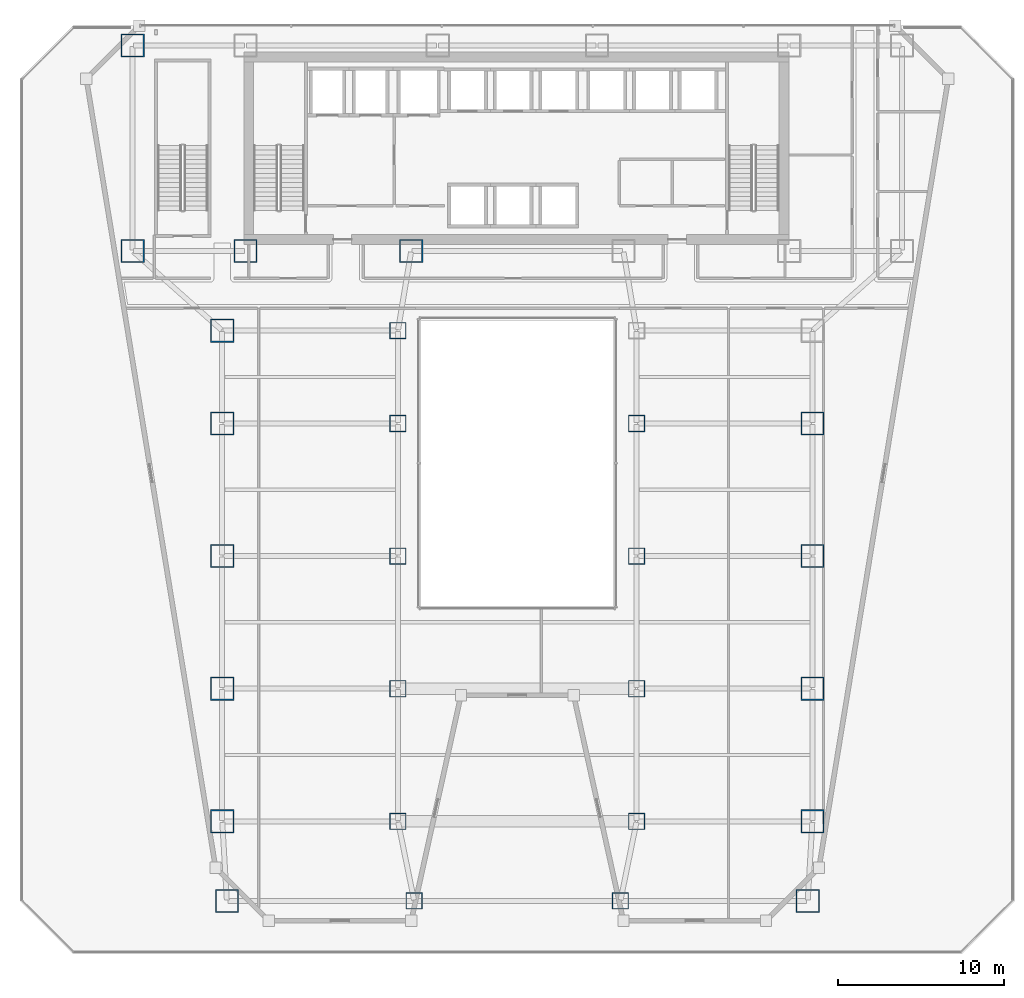
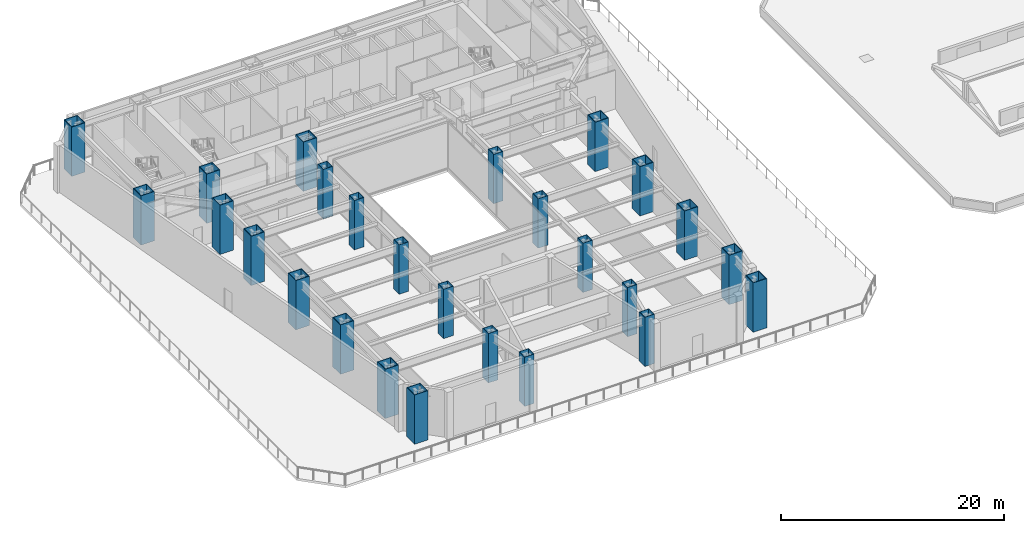
# One storey, part 1 of 29: 26 columns.
"""IFC4 building model written with IfcOpenShell, lengths in metres."""

from ifc_helpers import new_model, si_unit, direction, frame, origin, origin_2d, place, context, subcontext, project, spatial, hollow_rectangle, extrude, material, material_profile, profile_set, type_object, element, save


model = new_model("IFC4")

# Units and contexts
model_context = context("Model", 3, precision=1e-05, world=origin(), true_north=direction((0.0, 1.0)))
body_context = subcontext(model_context, "Body", "Model", "MODEL_VIEW")
ifc_project = project(units=[si_unit("LENGTHUNIT", "METRE"), si_unit("AREAUNIT", "SQUARE_METRE"), si_unit("VOLUMEUNIT", "CUBIC_METRE"), si_unit("PLANEANGLEUNIT", "RADIAN"), si_unit("MASSUNIT", "GRAM", prefix="KILO")], contexts=[model_context])

# Site, building, storey
site_placement = place(None, origin())
site = spatial("IfcSite", under=ifc_project, at=site_placement, CompositionType="ELEMENT")
building_placement = place(site_placement, origin())
building = spatial("IfcBuilding", under=site, at=building_placement, Name="Saevonmaru Cultural Tower", CompositionType="ELEMENT")
storey_placement = place(building_placement, frame((0.0, 0.0, 27.60009765625)))
storey = spatial("IfcBuildingStorey", under=building, at=storey_placement, Name="L05", CompositionType="ELEMENT", Elevation=27.60009765625)

# Columns
ifc_material_1 = material(Name="Steel SM420", Category="steel")
ifc_material_profile_1 = material_profile(ifc_material_1, hollow_rectangle(XDim=1.0, YDim=1.0, WallThickness=0.044921875, at=origin_2d()), Name="BOX-1000x1000x45")
ifc_profile_set_1 = profile_set([ifc_material_profile_1], Name="Steel SM420")
column_type_1 = type_object("IfcColumnType", Name="COL-BOX-1000", PredefinedType="COLUMN", material=ifc_profile_set_1)
for number, where, z_axis, x_axis, name in (
    (1, (23.780029296875, 3.199951171875, 0.0), (0.0, 0.0, 1.0), (1.0, 0.0, 0.0), "L05 Column PC-W2-A"),
    (2, (36.219970703125, 3.199951171875, 0.0), (0.0, 0.0, 1.0), (1.0, 0.0, 0.0), "L05 Column PC-E2-A"),
    (3, (22.800048828125, 8.0, 0.0), (0.0, 0.0, 1.0), (1.0, 0.0, 0.0), "L05 Column PC-W2-B"),
    (4, (37.199951171875, 8.0, 0.0), (0.0, 0.0, 1.0), (1.0, 0.0, 0.0), "L05 Column PC-E2-B"),
    (5, (22.800048828125, 16.0, 0.0), (0.0, 0.0, 1.0), (1.0, 0.0, 0.0), "L05 Column PC-W2-C"),
    (6, (37.199951171875, 16.0, 0.0), (0.0, 0.0, 1.0), (1.0, 0.0, 0.0), "L05 Column PC-E2-C"),
    (7, (22.800048828125, 24.0, 0.0), (0.0, 0.0, 1.0), (1.0, 0.0, 0.0), "L05 Column PC-W2-D"),
    (8, (37.199951171875, 24.0, 0.0), (0.0, 0.0, 1.0), (1.0, 0.0, 0.0), "L05 Column PC-E2-D"),
    (9, (22.800048828125, 32.0, 0.0), (0.0, 0.0, 1.0), (1.0, 0.0, 0.0), "L05 Column PC-W2-E"),
    (10, (37.199951171875, 32.0, 0.0), (0.0, 0.0, 1.0), (1.0, 0.0, 0.0), "L05 Column PC-E2-E"),
    (11, (22.800048828125, 37.60009765625, 0.0), (0.0, 0.0, 1.0), (1.0, 0.0, 0.0), "L05 Column PC-W2-F"),
):
    element("IfcColumn", number, at=place(storey_placement, frame(where, z_axis=z_axis, x_axis=x_axis)), inside=storey, type_object=column_type_1, Name=name, PredefinedType="COLUMN", context=body_context, shape_type="SweptSolid", body=[
        extrude(hollow_rectangle(XDim=1.0, YDim=1.0, WallThickness=0.044921875, at=origin_2d()), origin(), (0.0, 0.0, 1.0), 5.39990234375),
    ])
ifc_material_2 = material(Name="Steel HSA600 (600 MPa)", Category="steel")
ifc_material_profile_2 = material_profile(ifc_material_2, hollow_rectangle(XDim=1.39990234375, YDim=1.39990234375, WallThickness=0.06494140625, at=origin_2d()), Name="BOX-1400x1400x65")
ifc_profile_set_2 = profile_set([ifc_material_profile_2], Name="Steel HSA600 (600 MPa)")
column_type_2 = type_object("IfcColumnType", Name="COL-BOX-1400", PredefinedType="COLUMN", material=ifc_profile_set_2)
for number, where, z_axis, x_axis, name in (
    (12, (6.800048828125, 54.800048828125, 0.0), (0.0, 0.0, 1.0), (1.0, 0.0, 0.0), "L05 Column TC-N1N"),
    (13, (6.800048828125, 42.39990234375, 0.0), (0.0, 0.0, 1.0), (1.0, 0.0, 0.0), "L05 Column TC-S1C"),
    (14, (13.60009765625, 42.39990234375, 0.0), (0.0, 0.0, 1.0), (1.0, 0.0, 0.0), "L05 Column TC-S2C"),
    (15, (23.60009765625, 42.39990234375, 0.0), (0.0, 0.0, 1.0), (1.0, 0.0, 0.0), "L05 Column TC-S3C"),
    (16, (12.47998046875, 3.199951171875, 0.0), (0.0, 0.0, 1.0), (1.0, 0.0, 0.0), "L05 Column PC-W1-A"),
    (17, (47.52001953125, 3.199951171875, 0.0), (0.0, 0.0, 1.0), (1.0, 0.0, 0.0), "L05 Column PC-E1-A"),
    (18, (12.199951171875, 8.0, 0.0), (0.0, 0.0, 1.0), (1.0, 0.0, 0.0), "L05 Column PC-W1-B"),
    (19, (47.800048828125, 8.0, 0.0), (0.0, 0.0, 1.0), (1.0, 0.0, 0.0), "L05 Column PC-E1-B"),
    (20, (12.199951171875, 16.0, 0.0), (0.0, 0.0, 1.0), (1.0, 0.0, 0.0), "L05 Column PC-W1-C"),
    (21, (47.800048828125, 16.0, 0.0), (0.0, 0.0, 1.0), (1.0, 0.0, 0.0), "L05 Column PC-E1-C"),
    (22, (12.199951171875, 24.0, 0.0), (0.0, 0.0, 1.0), (1.0, 0.0, 0.0), "L05 Column PC-W1-D"),
    (23, (47.800048828125, 24.0, 0.0), (0.0, 0.0, 1.0), (1.0, 0.0, 0.0), "L05 Column PC-E1-D"),
    (24, (12.199951171875, 32.0, 0.0), (0.0, 0.0, 1.0), (1.0, 0.0, 0.0), "L05 Column PC-W1-E"),
    (25, (47.800048828125, 32.0, 0.0), (0.0, 0.0, 1.0), (1.0, 0.0, 0.0), "L05 Column PC-E1-E"),
    (26, (12.199951171875, 37.60009765625, 0.0), (0.0, 0.0, 1.0), (1.0, 0.0, 0.0), "L05 Column PC-W1-F"),
):
    element("IfcColumn", number, at=place(storey_placement, frame(where, z_axis=z_axis, x_axis=x_axis)), inside=storey, type_object=column_type_2, Name=name, PredefinedType="COLUMN", context=body_context, shape_type="SweptSolid", body=[
        extrude(hollow_rectangle(XDim=1.39990234375, YDim=1.39990234375, WallThickness=0.06494140625, at=origin_2d()), origin(), (0.0, 0.0, 1.0), 5.39990234375),
    ])

save(model, "model.ifc")
